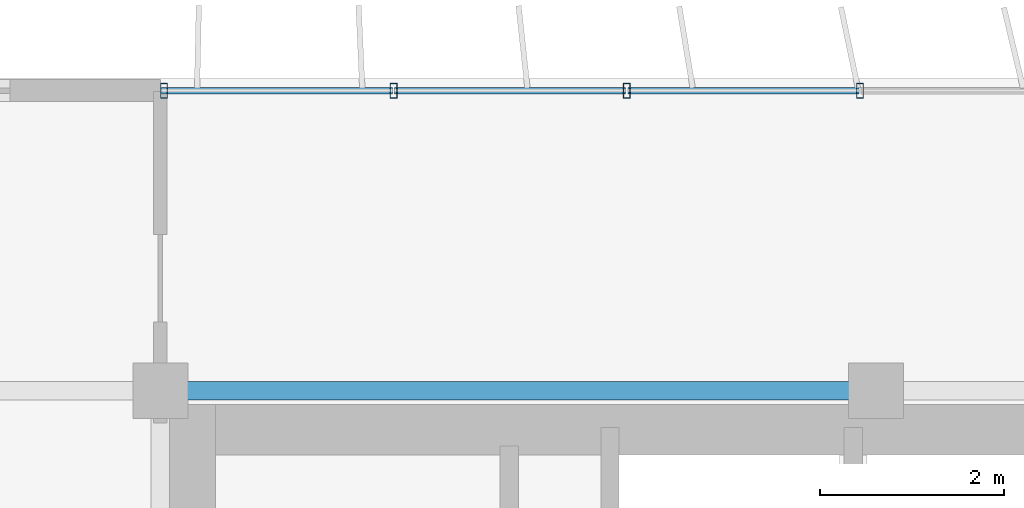
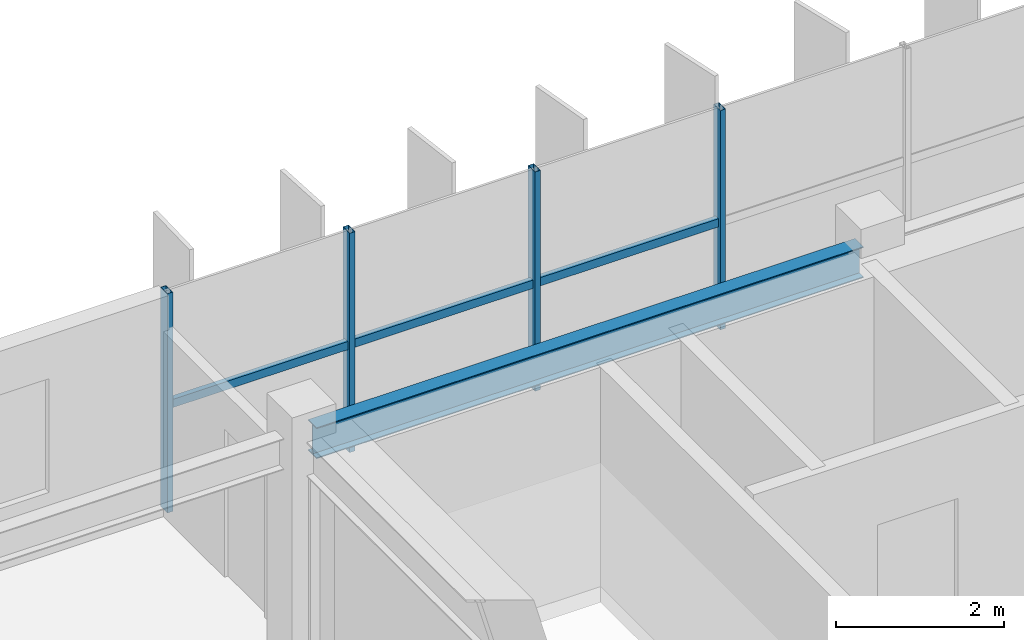
# One storey, part 10 of 26: 7 members, 1 beam, 1 element without a shape of its own.
"""IFC4 building model written with IfcOpenShell, lengths in metres."""

from ifc_helpers import new_model, si_unit, direction, frame, origin, origin_2d, place, context, subcontext, project, spatial, hollow_rectangle, i_section, extrude, source, transform, mapped, material, material_profile, profile_set, type_object, element, aggregate, save


model = new_model("IFC4")

# Units and contexts
model_context = context("Model", 3, precision=1e-05, world=origin(), true_north=direction((0.0, 1.0)))
body_context = subcontext(model_context, "Body", "Model", "MODEL_VIEW")
ifc_project = project(units=[si_unit("LENGTHUNIT", "METRE"), si_unit("AREAUNIT", "SQUARE_METRE"), si_unit("VOLUMEUNIT", "CUBIC_METRE"), si_unit("PLANEANGLEUNIT", "RADIAN"), si_unit("MASSUNIT", "GRAM", prefix="KILO")], contexts=[model_context])

# Site, building, storey
site_placement = place(None, origin())
site = spatial("IfcSite", under=ifc_project, at=site_placement, CompositionType="ELEMENT")
building_placement = place(site_placement, origin())
building = spatial("IfcBuilding", under=site, at=building_placement, Name="Trelvane Seafront Commons", CompositionType="ELEMENT")
storey_placement = place(building_placement, frame((0.0, 0.0, 291.89990234375)))
storey = spatial("IfcBuildingStorey", under=building, at=storey_placement, Name="L76", CompositionType="ELEMENT", Elevation=291.89990234375)

# Beam
ifc_material_1 = material(Name="Steel SM355 (S355)", Category="steel")
ifc_material_profile_1 = material_profile(ifc_material_1, i_section(OverallWidth=0.199951171875, OverallDepth=0.449951171875, WebThickness=0.009033203125, FlangeThickness=0.013916015625, at=origin_2d()), Name="H-450x200x9x14")
ifc_profile_set_1 = profile_set([ifc_material_profile_1], Name="Steel SM355 (S355)")
beam_type = type_object("IfcBeamType", Name="STR-SPD-H450", PredefinedType="SPANDREL", material=ifc_profile_set_1)
shared_shape_1 = source(origin(), body_context, "Body", "SweptSolid", [
    extrude(i_section(OverallWidth=0.199951171875, OverallDepth=0.449951171875, WebThickness=0.009033203125, FlangeThickness=0.013916015625, at=origin_2d()), origin(), (0.0, 0.0, 1.0), 7.5),
])
beam_placement = place(storey_placement, frame((15.75, 45.10009765625, 2.955078125), z_axis=(1.0, 0.0, 0.0), x_axis=(0.0, 1.0, 0.0)))
element("IfcBeam", 1, at=beam_placement, inside=storey, type_object=beam_type, Name="L76 Primary Girder G-23", PredefinedType="SPANDREL", context=body_context, shape_type="MappedRepresentation", body=[
    mapped(shared_shape_1, transform((0.0, 0.0, 0.0), x_axis=(1.0, 0.0, 0.0), y_axis=(0.0, 1.0, 0.0), z_axis=(0.0, 0.0, 1.0), scale=1.0)),
])

# Curtain wall, members
ifc_material_2 = material(Name="Anodised pale-silver aluminium", Category="aluminium")
curtain_wall_type = type_object("IfcCurtainWallType", Name="ARCH-CW5-UPTOWER", PredefinedType="NOTDEFINED", material=ifc_material_2)
curtain_wall_placement = place(storey_placement, origin())
curtain_wall = element("IfcCurtainWall", 2, at=curtain_wall_placement, inside=storey, type_object=curtain_wall_type, Name="CW-L76-0120", PredefinedType="NOTDEFINED")
ifc_material_profile_2 = material_profile(ifc_material_2, hollow_rectangle(XDim=0.070068359375, YDim=0.1201171875, WallThickness=0.00390625, at=origin_2d()), Name="TRAN-70x120x4")
ifc_profile_set_2 = profile_set([ifc_material_profile_2], Name="Anodised pale-silver aluminium")
member_type_1 = type_object("IfcMemberType", Name="ARCH-CW-TRAN-120", PredefinedType="USERDEFINED", material=ifc_profile_set_2)
shared_shape_2 = source(origin(), body_context, "Body", "SweptSolid", [
    extrude(hollow_rectangle(XDim=0.070068359375, YDim=0.1201171875, WallThickness=0.00390625, at=origin_2d()), origin(), (0.0, 0.0, 1.0), 2.51708984375),
])
member_1_placement = place(storey_placement, frame((15.612060546875, 48.3701171875, 1.526123046875), z_axis=(1.0, 0.0, 0.0), x_axis=(0.0, 1.0, 0.0)))
member_1 = element("IfcMember", 3, at=member_1_placement, type_object=member_type_1, Name="CW-L76-0120-T00", ObjectType="TRANSOM", PredefinedType="USERDEFINED", context=body_context, shape_type="MappedRepresentation", body=[
    mapped(shared_shape_2, transform((0.0, 0.0, 0.0), x_axis=(1.0, 0.0, 0.0), y_axis=(0.0, 1.0, 0.0), z_axis=(0.0, 0.0, 1.0), scale=1.0)),
])
member_2_placement = place(storey_placement, frame((18.1533203125, 48.3701171875, 1.526123046875), z_axis=(1.0, 0.0, 0.0), x_axis=(0.0, 1.0, 0.0)))
member_2 = element("IfcMember", 4, at=member_2_placement, type_object=member_type_1, Name="CW-L76-0120-T01", ObjectType="TRANSOM", PredefinedType="USERDEFINED", context=body_context, shape_type="MappedRepresentation", body=[
    mapped(shared_shape_2, transform((0.0, 0.0, 0.0), x_axis=(1.0, 0.0, 0.0), y_axis=(0.0, 1.0, 0.0), z_axis=(0.0, 0.0, 1.0), scale=1.0)),
])
member_3_placement = place(storey_placement, frame((20.6943359375, 48.3701171875, 1.526123046875), z_axis=(1.0, 0.0, 0.0), x_axis=(0.0, 1.0, 0.0)))
member_3 = element("IfcMember", 5, at=member_3_placement, type_object=member_type_1, Name="CW-L76-0120-T02", ObjectType="TRANSOM", PredefinedType="USERDEFINED", context=body_context, shape_type="MappedRepresentation", body=[
    mapped(shared_shape_2, transform((0.0, 0.0, 0.0), x_axis=(1.0, 0.0, 0.0), y_axis=(0.0, 1.0, 0.0), z_axis=(0.0, 0.0, 1.0), scale=1.0)),
])
ifc_material_profile_3 = material_profile(ifc_material_2, hollow_rectangle(XDim=0.074951171875, YDim=0.159912109375, WallThickness=0.00390625, at=origin_2d()), Name="MULL-75x160x4")
ifc_profile_set_3 = profile_set([ifc_material_profile_3], Name="Anodised pale-silver aluminium")
member_type_2 = type_object("IfcMemberType", Name="ARCH-CW-MULL-160", PredefinedType="MULLION", material=ifc_profile_set_3)
shared_shape_3 = source(origin(), body_context, "Body", "SweptSolid", [
    extrude(hollow_rectangle(XDim=0.074951171875, YDim=0.159912109375, WallThickness=0.00390625, at=origin_2d()), origin(), (0.0, 0.0, 1.0), 3.18017578125),
])
member_4_placement = place(storey_placement, frame((15.639892578125, 48.3701171875, 0.0), z_axis=(0.0, 0.0, 1.0), x_axis=(1.0, 0.0, 0.0)))
member_4 = element("IfcMember", 6, at=member_4_placement, type_object=member_type_2, Name="CW-L76-0120-M00", PredefinedType="MULLION", context=body_context, shape_type="MappedRepresentation", body=[
    mapped(shared_shape_3, transform((0.0, 0.0, 0.0), x_axis=(1.0, 0.0, 0.0), y_axis=(0.0, 1.0, 0.0), z_axis=(0.0, 0.0, 1.0), scale=1.0)),
])
member_5_placement = place(storey_placement, frame((18.14111328125, 48.3701171875, 0.0), z_axis=(0.0, 0.0, 1.0), x_axis=(1.0, 0.0, 0.0)))
member_5 = element("IfcMember", 7, at=member_5_placement, type_object=member_type_2, Name="CW-L76-0120-M01", PredefinedType="MULLION", context=body_context, shape_type="MappedRepresentation", body=[
    mapped(shared_shape_3, transform((0.0, 0.0, 0.0), x_axis=(1.0, 0.0, 0.0), y_axis=(0.0, 1.0, 0.0), z_axis=(0.0, 0.0, 1.0), scale=1.0)),
])
member_6_placement = place(storey_placement, frame((20.682373046875, 48.3701171875, 0.0), z_axis=(0.0, 0.0, 1.0), x_axis=(1.0, 0.0, 0.0)))
member_6 = element("IfcMember", 8, at=member_6_placement, type_object=member_type_2, Name="CW-L76-0120-M02", PredefinedType="MULLION", context=body_context, shape_type="MappedRepresentation", body=[
    mapped(shared_shape_3, transform((0.0, 0.0, 0.0), x_axis=(1.0, 0.0, 0.0), y_axis=(0.0, 1.0, 0.0), z_axis=(0.0, 0.0, 1.0), scale=1.0)),
])
member_7_placement = place(storey_placement, frame((23.223388671875, 48.3701171875, 0.0), z_axis=(0.0, 0.0, 1.0), x_axis=(1.0, 0.0, 0.0)))
member_7 = element("IfcMember", 9, at=member_7_placement, type_object=member_type_2, Name="CW-L76-0120-M03", PredefinedType="MULLION", context=body_context, shape_type="MappedRepresentation", body=[
    mapped(shared_shape_3, transform((0.0, 0.0, 0.0), x_axis=(1.0, 0.0, 0.0), y_axis=(0.0, 1.0, 0.0), z_axis=(0.0, 0.0, 1.0), scale=1.0)),
])
aggregate(curtain_wall, [member_4, member_5, member_6, member_7, member_1, member_2, member_3])

save(model, "model.ifc")
